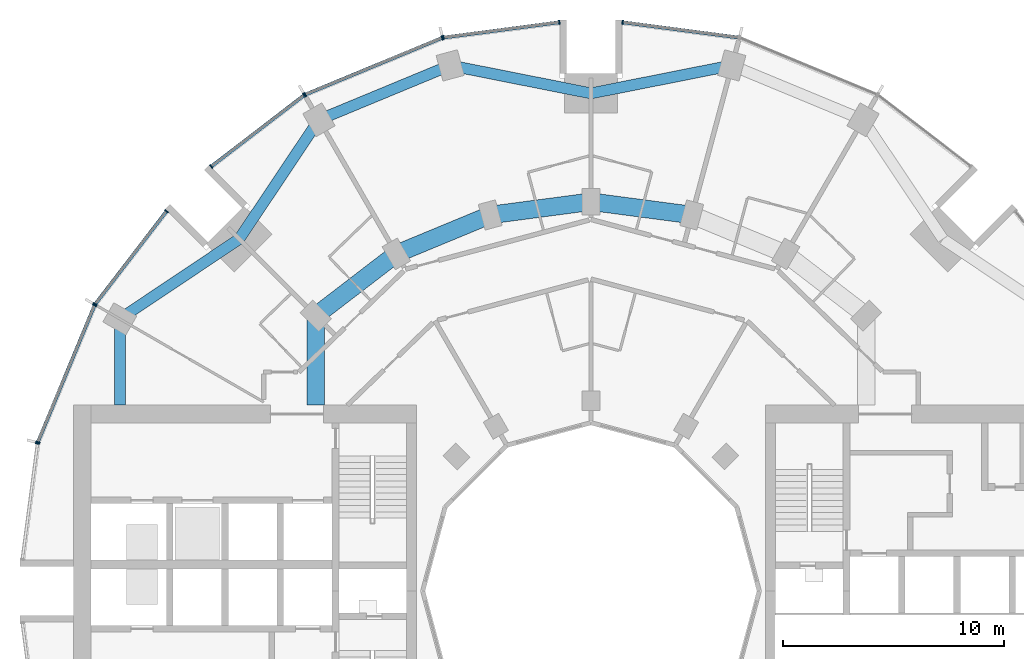
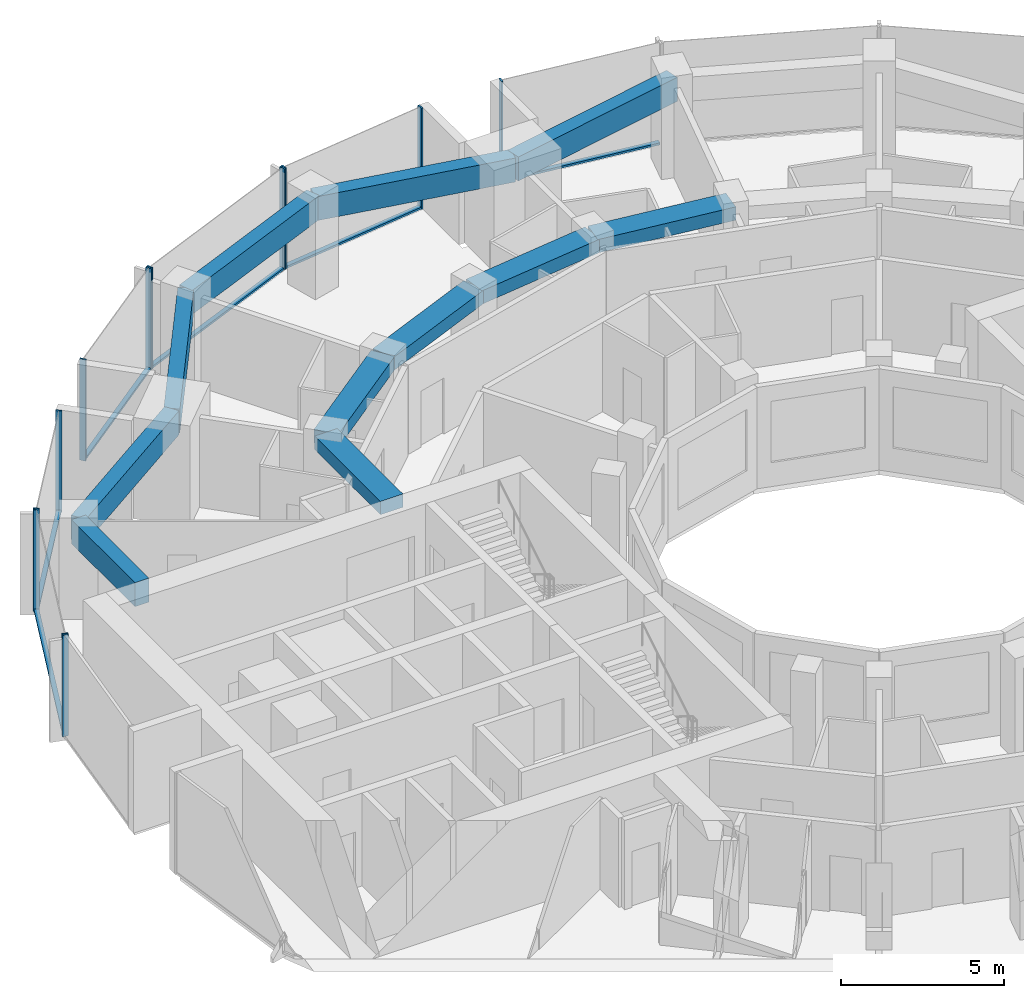
# One storey, part 5 of 15: 18 members, 11 beams, 7 elements without a shape of their own.
"""IFC4 building model written with IfcOpenShell, lengths in metres."""

from ifc_helpers import new_model, si_unit, direction, frame, origin, origin_2d, place, context, subcontext, project, spatial, rectangle, extrude, material, layer, layer_set, material_profile, profile_set, type_object, element, aggregate, save


model = new_model("IFC4")

# Units and contexts
model_context = context("Model", 3, precision=1e-05, world=origin(), true_north=direction((0.0, 1.0)))
body_context = subcontext(model_context, "Body", "Model", "MODEL_VIEW")
ifc_project = project(units=[si_unit("LENGTHUNIT", "METRE"), si_unit("AREAUNIT", "SQUARE_METRE"), si_unit("VOLUMEUNIT", "CUBIC_METRE"), si_unit("PLANEANGLEUNIT", "RADIAN"), si_unit("MASSUNIT", "GRAM", prefix="KILO")], contexts=[model_context])

# Site, building, storey
site_placement = place(None, origin())
site = spatial("IfcSite", under=ifc_project, at=site_placement, CompositionType="ELEMENT")
building_placement = place(site_placement, origin())
building = spatial("IfcBuilding", under=site, at=building_placement, Name="Torre Brocal", CompositionType="ELEMENT")
storey_placement = place(building_placement, frame((0.0, 0.0, 59.199951171875)))
storey = spatial("IfcBuildingStorey", under=building, at=storey_placement, Name="L13", CompositionType="ELEMENT", Elevation=59.199951171875)

# Curtain wall, member
ifc_material_1 = material(Name="Aluminium and glass", Category="aluminium")
ifc_layer_1 = layer(ifc_material_1, 0.199951171875)
ifc_layer_set_1 = layer_set([ifc_layer_1], Name="Aluminium and glass")
curtain_wall_type_1 = type_object("IfcCurtainWallType", Name="CW-1 CURTAIN WALL 3800 HIGH", PredefinedType="NOTDEFINED", material=ifc_layer_set_1)
curtain_wall_1_placement = place(storey_placement, origin())
curtain_wall_1 = element("IfcCurtainWall", 1, at=curtain_wall_1_placement, inside=storey, type_object=curtain_wall_type_1, Name="CW-1 RUN 6", PredefinedType="NOTDEFINED")
ifc_material_2 = material(Name="Aluminium, dark anodised", Category="aluminium")
ifc_material_profile_1 = material_profile(ifc_material_2, rectangle(XDim=0.199951171875, YDim=0.06005859375, at=origin_2d()), Name="CW-1 MULLION 60X200")
ifc_profile_set_1 = profile_set([ifc_material_profile_1], Name="Aluminium, dark anodised")
member_type_1 = type_object("IfcMemberType", Name="CW-1 MULLION 60X200", PredefinedType="MULLION", material=ifc_profile_set_1)
member_1_placement = place(storey_placement, frame((81.4296875, 100.7109375, 0.0), z_axis=(0.0, 0.0, 1.0), x_axis=(-0.13052619222, -0.991444861374, 0.0)))
member_1 = element("IfcMember", 2, at=member_1_placement, type_object=member_type_1, Name="CW1-1 mullion 2", PredefinedType="MULLION", context=body_context, shape_type="SweptSolid", body=[
    extrude(rectangle(XDim=0.199951171875, YDim=0.06005859375, at=origin_2d()), origin(), (0.0, 0.0, 1.0), 3.800048828125),
])

# Curtain wall, members
curtain_wall_2_placement = place(storey_placement, origin())
curtain_wall_2 = element("IfcCurtainWall", 3, at=curtain_wall_2_placement, inside=storey, type_object=curtain_wall_type_1, Name="CW-1 RUN 7", PredefinedType="NOTDEFINED")
member_2_placement = place(storey_placement, frame((78.5703125, 100.7109375, 0.0), z_axis=(0.0, 0.0, 1.0), x_axis=(0.13052619222, -0.991444861374, 0.0)))
member_2 = element("IfcMember", 4, at=member_2_placement, type_object=member_type_1, Name="CW1-1 mullion 1", PredefinedType="MULLION", context=body_context, shape_type="SweptSolid", body=[
    extrude(rectangle(XDim=0.199951171875, YDim=0.06005859375, at=origin_2d()), origin(), (0.0, 0.0, 1.0), 3.800048828125),
])
member_3_placement = place(storey_placement, frame((73.32666015625, 100.0205078125, 0.0), z_axis=(0.0, 0.0, 1.0), x_axis=(0.13052619222, -0.991444861374, 0.0)))
member_3 = element("IfcMember", 5, at=member_3_placement, type_object=member_type_1, Name="CW1-1 mullion 2", PredefinedType="MULLION", context=body_context, shape_type="SweptSolid", body=[
    extrude(rectangle(XDim=0.199951171875, YDim=0.06005859375, at=origin_2d()), origin(), (0.0, 0.0, 1.0), 3.800048828125),
])

curtain_wall_3_placement = place(storey_placement, origin())
curtain_wall_3 = element("IfcCurtainWall", 6, at=curtain_wall_3_placement, inside=storey, type_object=curtain_wall_type_1, Name="CW-1 RUN 8", PredefinedType="NOTDEFINED")
member_4_placement = place(storey_placement, frame((73.26904296875, 100.005126953125, 0.0), z_axis=(0.0, 0.0, 1.0), x_axis=(0.382683432333, -0.923879532525, 0.0)))
member_4 = element("IfcMember", 7, at=member_4_placement, type_object=member_type_1, Name="CW1-1 mullion 1", PredefinedType="MULLION", context=body_context, shape_type="SweptSolid", body=[
    extrude(rectangle(XDim=0.199951171875, YDim=0.06005859375, at=origin_2d()), origin(), (0.0, 0.0, 1.0), 3.800048828125),
])
member_5_placement = place(storey_placement, frame((67.078125, 97.440673828125, 0.0), z_axis=(0.0, 0.0, 1.0), x_axis=(0.382683432333, -0.923879532525, 0.0)))
member_5 = element("IfcMember", 8, at=member_5_placement, type_object=member_type_1, Name="CW1-1 mullion 2", PredefinedType="MULLION", context=body_context, shape_type="SweptSolid", body=[
    extrude(rectangle(XDim=0.199951171875, YDim=0.06005859375, at=origin_2d()), origin(), (0.0, 0.0, 1.0), 3.800048828125),
])

curtain_wall_4_placement = place(storey_placement, origin())
curtain_wall_4 = element("IfcCurtainWall", 9, at=curtain_wall_4_placement, inside=storey, type_object=curtain_wall_type_1, Name="CW-1 RUN 9", PredefinedType="NOTDEFINED")
member_6_placement = place(storey_placement, frame((67.026611328125, 97.4111328125, 0.0), z_axis=(0.0, 0.0, 1.0), x_axis=(0.60876142905, -0.793353340259, 0.0)))
member_6 = element("IfcMember", 10, at=member_6_placement, type_object=member_type_1, Name="CW1-1 mullion 1", PredefinedType="MULLION", context=body_context, shape_type="SweptSolid", body=[
    extrude(rectangle(XDim=0.199951171875, YDim=0.06005859375, at=origin_2d()), origin(), (0.0, 0.0, 1.0), 3.800048828125),
])
member_7_placement = place(storey_placement, frame((62.83056640625, 94.19140625, 0.0), z_axis=(0.0, 0.0, 1.0), x_axis=(0.60876142905, -0.793353340259, 0.0)))
member_7 = element("IfcMember", 11, at=member_7_placement, type_object=member_type_1, Name="CW1-1 mullion 2", PredefinedType="MULLION", context=body_context, shape_type="SweptSolid", body=[
    extrude(rectangle(XDim=0.199951171875, YDim=0.06005859375, at=origin_2d()), origin(), (0.0, 0.0, 1.0), 3.800048828125),
])

curtain_wall_5_placement = place(storey_placement, origin())
curtain_wall_5 = element("IfcCurtainWall", 12, at=curtain_wall_5_placement, inside=storey, type_object=curtain_wall_type_1, Name="CW-1 RUN 10", PredefinedType="NOTDEFINED")
member_8_placement = place(storey_placement, frame((60.80859375, 92.16943359375, 0.0), z_axis=(0.0, 0.0, 1.0), x_axis=(0.793353340259, -0.60876142905, 0.0)))
member_8 = element("IfcMember", 13, at=member_8_placement, type_object=member_type_1, Name="CW1-1 mullion 1", PredefinedType="MULLION", context=body_context, shape_type="SweptSolid", body=[
    extrude(rectangle(XDim=0.199951171875, YDim=0.06005859375, at=origin_2d()), origin(), (0.0, 0.0, 1.0), 3.800048828125),
])
member_9_placement = place(storey_placement, frame((57.5888671875, 87.973388671875, 0.0), z_axis=(0.0, 0.0, 1.0), x_axis=(0.793353340259, -0.60876142905, 0.0)))
member_9 = element("IfcMember", 14, at=member_9_placement, type_object=member_type_1, Name="CW1-1 mullion 2", PredefinedType="MULLION", context=body_context, shape_type="SweptSolid", body=[
    extrude(rectangle(XDim=0.199951171875, YDim=0.06005859375, at=origin_2d()), origin(), (0.0, 0.0, 1.0), 3.800048828125),
])

curtain_wall_6_placement = place(storey_placement, origin())
curtain_wall_6 = element("IfcCurtainWall", 15, at=curtain_wall_6_placement, inside=storey, type_object=curtain_wall_type_1, Name="CW-1 RUN 11", PredefinedType="NOTDEFINED")
member_10_placement = place(storey_placement, frame((57.559326171875, 87.921875, 0.0), z_axis=(0.0, 0.0, 1.0), x_axis=(0.923879532525, -0.382683432333, 0.0)))
member_10 = element("IfcMember", 16, at=member_10_placement, type_object=member_type_1, Name="CW1-1 mullion 1", PredefinedType="MULLION", context=body_context, shape_type="SweptSolid", body=[
    extrude(rectangle(XDim=0.199951171875, YDim=0.06005859375, at=origin_2d()), origin(), (0.0, 0.0, 1.0), 3.800048828125),
])
member_11_placement = place(storey_placement, frame((54.994873046875, 81.73095703125, 0.0), z_axis=(0.0, 0.0, 1.0), x_axis=(0.923879532525, -0.382683432333, 0.0)))
member_11 = element("IfcMember", 17, at=member_11_placement, type_object=member_type_1, Name="CW1-1 mullion 2", PredefinedType="MULLION", context=body_context, shape_type="SweptSolid", body=[
    extrude(rectangle(XDim=0.199951171875, YDim=0.06005859375, at=origin_2d()), origin(), (0.0, 0.0, 1.0), 3.800048828125),
])

# Member
ifc_material_3 = material(Name="Aluminium, dark anodised", Category="aluminium")
ifc_material_profile_2 = material_profile(ifc_material_3, rectangle(XDim=0.159912109375, YDim=0.080078125, at=origin_2d()), Name="CW-1 TRANSOM 160X80")
ifc_profile_set_2 = profile_set([ifc_material_profile_2], Name="Aluminium, dark anodised")
member_type_2 = type_object("IfcMemberType", Name="CW-1 TRANSOM 160X80", PredefinedType="USERDEFINED", material=ifc_profile_set_2)
member_12_placement = place(storey_placement, frame((86.643798828125, 100.0244140625, 0.0400390625), z_axis=(-0.991442690863, 0.130542677827, 0.0), x_axis=(-0.130542677827, -0.991442690863, 0.0)))
member_12 = element("IfcMember", 18, at=member_12_placement, type_object=member_type_2, Name="CW1-1 transom 1.1", ObjectType="TRANSOM", PredefinedType="USERDEFINED", context=body_context, shape_type="SweptSolid", body=[
    extrude(rectangle(XDim=0.159912109375, YDim=0.080078125, at=origin_2d()), origin(), (0.0, 0.0, 1.0), 5.22900390625),
])

aggregate(curtain_wall_1, [member_1, member_12])

member_13_placement = place(storey_placement, frame((78.54052734375, 100.70703125, 0.0400390625), z_axis=(-0.991442690863, -0.130542677827, 0.0), x_axis=(0.130542677827, -0.991442690863, 0.0)))
member_13 = element("IfcMember", 19, at=member_13_placement, type_object=member_type_2, Name="CW1-1 transom 1.1", ObjectType="TRANSOM", PredefinedType="USERDEFINED", context=body_context, shape_type="SweptSolid", body=[
    extrude(rectangle(XDim=0.159912109375, YDim=0.080078125, at=origin_2d()), origin(), (0.0, 0.0, 1.0), 5.22900390625),
])

aggregate(curtain_wall_2, [member_2, member_3, member_13])

member_14_placement = place(storey_placement, frame((73.241455078125, 99.99365234375, 0.0400390625), z_axis=(-0.923887344364, -0.38266457234, 0.0), x_axis=(0.38266457234, -0.923887344364, 0.0)))
member_14 = element("IfcMember", 20, at=member_14_placement, type_object=member_type_2, Name="CW1-1 transom 1.1", ObjectType="TRANSOM", PredefinedType="USERDEFINED", context=body_context, shape_type="SweptSolid", body=[
    extrude(rectangle(XDim=0.159912109375, YDim=0.080078125, at=origin_2d()), origin(), (0.0, 0.0, 1.0), 6.640869140625),
])

aggregate(curtain_wall_3, [member_4, member_5, member_14])

member_15_placement = place(storey_placement, frame((67.0029296875, 97.392822265625, 0.0400390625), z_axis=(-0.79336281513, -0.60874908096, 0.0), x_axis=(0.60874908096, -0.79336281513, 0.0)))
member_15 = element("IfcMember", 21, at=member_15_placement, type_object=member_type_2, Name="CW1-1 transom 1.1", ObjectType="TRANSOM", PredefinedType="USERDEFINED", context=body_context, shape_type="SweptSolid", body=[
    extrude(rectangle(XDim=0.159912109375, YDim=0.080078125, at=origin_2d()), origin(), (0.0, 0.0, 1.0), 5.22900390625),
])

aggregate(curtain_wall_4, [member_6, member_7, member_15])

member_16_placement = place(storey_placement, frame((60.790283203125, 92.1455078125, 0.0400390625), z_axis=(-0.60874908096, -0.79336281513, 0.0), x_axis=(0.79336281513, -0.60874908096, 0.0)))
member_16 = element("IfcMember", 22, at=member_16_placement, type_object=member_type_2, Name="CW1-1 transom 1.1", ObjectType="TRANSOM", PredefinedType="USERDEFINED", context=body_context, shape_type="SweptSolid", body=[
    extrude(rectangle(XDim=0.159912109375, YDim=0.080078125, at=origin_2d()), origin(), (0.0, 0.0, 1.0), 5.22900390625),
])

aggregate(curtain_wall_5, [member_8, member_9, member_16])

member_17_placement = place(storey_placement, frame((57.547607421875, 87.89404296875, 0.0400390625), z_axis=(-0.38266457234, -0.923887344364, 0.0), x_axis=(0.923887344364, -0.38266457234, 0.0)))
member_17 = element("IfcMember", 23, at=member_17_placement, type_object=member_type_2, Name="CW1-1 transom 1.1", ObjectType="TRANSOM", PredefinedType="USERDEFINED", context=body_context, shape_type="SweptSolid", body=[
    extrude(rectangle(XDim=0.159912109375, YDim=0.080078125, at=origin_2d()), origin(), (0.0, 0.0, 1.0), 6.640869140625),
])

aggregate(curtain_wall_6, [member_10, member_11, member_17])

# Curtain wall, member
ifc_material_4 = material(Name="Aluminium and glass", Category="aluminium")
ifc_layer_2 = layer(ifc_material_4, 0.199951171875)
ifc_layer_set_2 = layer_set([ifc_layer_2], Name="Aluminium and glass")
curtain_wall_type_2 = type_object("IfcCurtainWallType", Name="CW-1B CURTAIN WALL 3800 HIGH", PredefinedType="NOTDEFINED", material=ifc_layer_set_2)
curtain_wall_7_placement = place(storey_placement, origin())
curtain_wall_7 = element("IfcCurtainWall", 24, at=curtain_wall_7_placement, inside=storey, type_object=curtain_wall_type_2, Name="CW-1B RUN 12", PredefinedType="NOTDEFINED")
ifc_material_5 = material(Name="Aluminium, dark anodised", Category="aluminium")
ifc_material_profile_3 = material_profile(ifc_material_5, rectangle(XDim=0.199951171875, YDim=0.06005859375, at=origin_2d()), Name="CW-1B MULLION 60X200")
ifc_profile_set_3 = profile_set([ifc_material_profile_3], Name="Aluminium, dark anodised")
member_type_3 = type_object("IfcMemberType", Name="CW-1B MULLION 60X200", PredefinedType="MULLION", material=ifc_profile_set_3)
member_18_placement = place(storey_placement, frame((54.9794921875, 81.67333984375, 0.0), z_axis=(0.0, 0.0, 1.0), x_axis=(0.991444861374, -0.13052619222, 0.0)))
member_18 = element("IfcMember", 25, at=member_18_placement, type_object=member_type_3, Name="CW1B-1 mullion 1", PredefinedType="MULLION", context=body_context, shape_type="SweptSolid", body=[
    extrude(rectangle(XDim=0.199951171875, YDim=0.06005859375, at=origin_2d()), origin(), (0.0, 0.0, 1.0), 3.800048828125),
])
aggregate(curtain_wall_7, [member_18])

# Beams
ifc_material_6 = material(Name="Concrete C50", Category="concrete")
ifc_material_profile_4 = material_profile(ifc_material_6, rectangle(XDim=0.800048828125, YDim=0.5, at=origin_2d()), Name="RC 800X500")
ifc_profile_set_4 = profile_set([ifc_material_profile_4], Name="Concrete C50")
beam_type_1 = type_object("IfcBeamType", Name="RC BEAM 800X500 C50 TOP 3480", PredefinedType="BEAM", material=ifc_profile_set_4)
for number, where, z_axis, x_axis, name in (
    (26, (84.55517578125, 92.000244140625, 3.22998046875), (-0.991440544449, 0.130558978332, 0.0), (-0.130558978332, -0.991440544449, 0.0), "Beam BT-19"),
    (27, (80.0, 92.60009765625, 3.22998046875), (-0.991440544449, -0.130558978332, 0.0), (0.130558978332, -0.991440544449, 0.0), "Beam BT-19"),
):
    element("IfcBeam", number, at=place(storey_placement, frame(where, z_axis=z_axis, x_axis=x_axis)), inside=storey, type_object=beam_type_1, Name=name, PredefinedType="BEAM", context=body_context, shape_type="SweptSolid", body=[
        extrude(rectangle(XDim=0.800048828125, YDim=0.5, at=origin_2d()), origin(), (0.0, 0.0, 1.0), 4.594482421875),
    ])
beam_1_placement = place(storey_placement, frame((75.44482421875, 92.000244140625, 3.22998046875), z_axis=(-0.923878240166, -0.382686552348, 0.0), x_axis=(0.382686552348, -0.923878240166, 0.0)))
element("IfcBeam", 28, at=beam_1_placement, inside=storey, type_object=beam_type_1, Name="Beam BT-19", PredefinedType="BEAM", context=body_context, shape_type="SweptSolid", body=[
    extrude(rectangle(XDim=0.800048828125, YDim=0.5, at=origin_2d()), origin(), (0.0, 0.0, 1.0), 4.5947265625),
])
beam_2_placement = place(storey_placement, frame((71.199951171875, 90.241943359375, 3.22998046875), z_axis=(-0.793358265959, -0.6087550097, 0.0), x_axis=(0.6087550097, -0.793358265959, 0.0)))
element("IfcBeam", 29, at=beam_2_placement, inside=storey, type_object=beam_type_1, Name="Beam BT-19", PredefinedType="BEAM", context=body_context, shape_type="SweptSolid", body=[
    extrude(rectangle(XDim=0.800048828125, YDim=0.5, at=origin_2d()), origin(), (0.0, 0.0, 1.0), 4.594482421875),
])
beam_3_placement = place(storey_placement, frame((67.554931640625, 87.445068359375, 3.22998046875), z_axis=(0.0, -1.0, 0.0), x_axis=(1.0, 0.0, 0.0)))
element("IfcBeam", 30, at=beam_3_placement, inside=storey, type_object=beam_type_1, Name="Beam BT-19", PredefinedType="BEAM", context=body_context, shape_type="SweptSolid", body=[
    extrude(rectangle(XDim=0.800048828125, YDim=0.5, at=origin_2d()), origin(), (0.0, 0.0, 1.0), 4.045166015625),
])
ifc_material_7 = material(Name="Concrete C50", Category="concrete")
ifc_material_profile_5 = material_profile(ifc_material_7, rectangle(XDim=0.5, YDim=0.89990234375, at=origin_2d()), Name="RC 500X900")
ifc_profile_set_5 = profile_set([ifc_material_profile_5], Name="Concrete C50")
beam_type_2 = type_object("IfcBeamType", Name="RC SPANDREL BEAM 500X900 C50 TOP 3480", PredefinedType="SPANDREL", material=ifc_profile_set_5)
for number, where, z_axis, x_axis, name in (
    (31, (86.366943359375, 98.76171875, 3.030029296875), (-0.980924907484, -0.194387051723, 0.0), (0.194387051723, -0.980924907484, 0.0), "Beam BT-20"),
    (32, (80.0, 97.5, 3.030029296875), (-0.980924907484, 0.194387051723, 0.0), (-0.194387051723, -0.980924907484, 0.0), "Beam BT-20"),
):
    element("IfcBeam", number, at=place(storey_placement, frame(where, z_axis=z_axis, x_axis=x_axis)), inside=storey, type_object=beam_type_2, Name=name, PredefinedType="SPANDREL", context=body_context, shape_type="SweptSolid", body=[
        extrude(rectangle(XDim=0.5, YDim=0.89990234375, at=origin_2d()), origin(), (0.0, 0.0, 1.0), 6.49072265625),
    ])
beam_4_placement = place(storey_placement, frame((73.633056640625, 98.76171875, 3.030029296875), z_axis=(-0.923882462513, -0.382676358639, 0.0), x_axis=(0.382676358639, -0.923882462513, 0.0)))
element("IfcBeam", 33, at=beam_4_placement, inside=storey, type_object=beam_type_2, Name="Beam BT-20", PredefinedType="SPANDREL", context=body_context, shape_type="SweptSolid", body=[
    extrude(rectangle(XDim=0.5, YDim=0.89990234375, at=origin_2d()), origin(), (0.0, 0.0, 1.0), 6.421875),
])
for number, where, z_axis, x_axis, name in (
    (34, (67.699951171875, 96.30419921875, 3.030029296875), (-0.556157602282, -0.831076844476, 0.0), (0.831076844476, -0.556157602282, 0.0), "Beam BT-20"),
    (35, (64.090087890625, 90.909912109375, 3.030029296875), (-0.831076844476, -0.556157602282, 0.0), (0.556157602282, -0.831076844476, 0.0), "Beam BT-20"),
):
    element("IfcBeam", number, at=place(storey_placement, frame(where, z_axis=z_axis, x_axis=x_axis)), inside=storey, type_object=beam_type_2, Name=name, PredefinedType="SPANDREL", context=body_context, shape_type="SweptSolid", body=[
        extrude(rectangle(XDim=0.5, YDim=0.89990234375, at=origin_2d()), origin(), (0.0, 0.0, 1.0), 6.49072265625),
    ])
beam_5_placement = place(storey_placement, frame((58.69580078125, 87.300048828125, 3.030029296875), z_axis=(0.0, -1.0, 0.0), x_axis=(1.0, 0.0, 0.0)))
element("IfcBeam", 36, at=beam_5_placement, inside=storey, type_object=beam_type_2, Name="Beam BT-20", PredefinedType="SPANDREL", context=body_context, shape_type="SweptSolid", body=[
    extrude(rectangle(XDim=0.5, YDim=0.89990234375, at=origin_2d()), origin(), (0.0, 0.0, 1.0), 3.900146484375),
])

save(model, "model.ifc")
